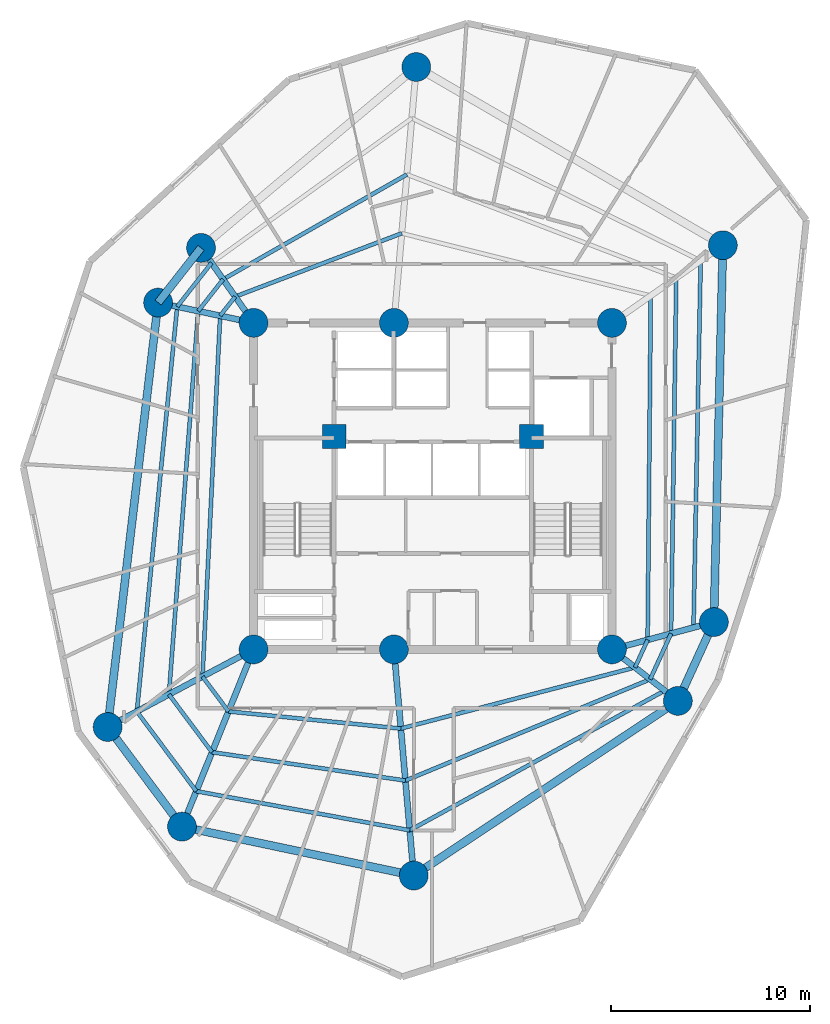
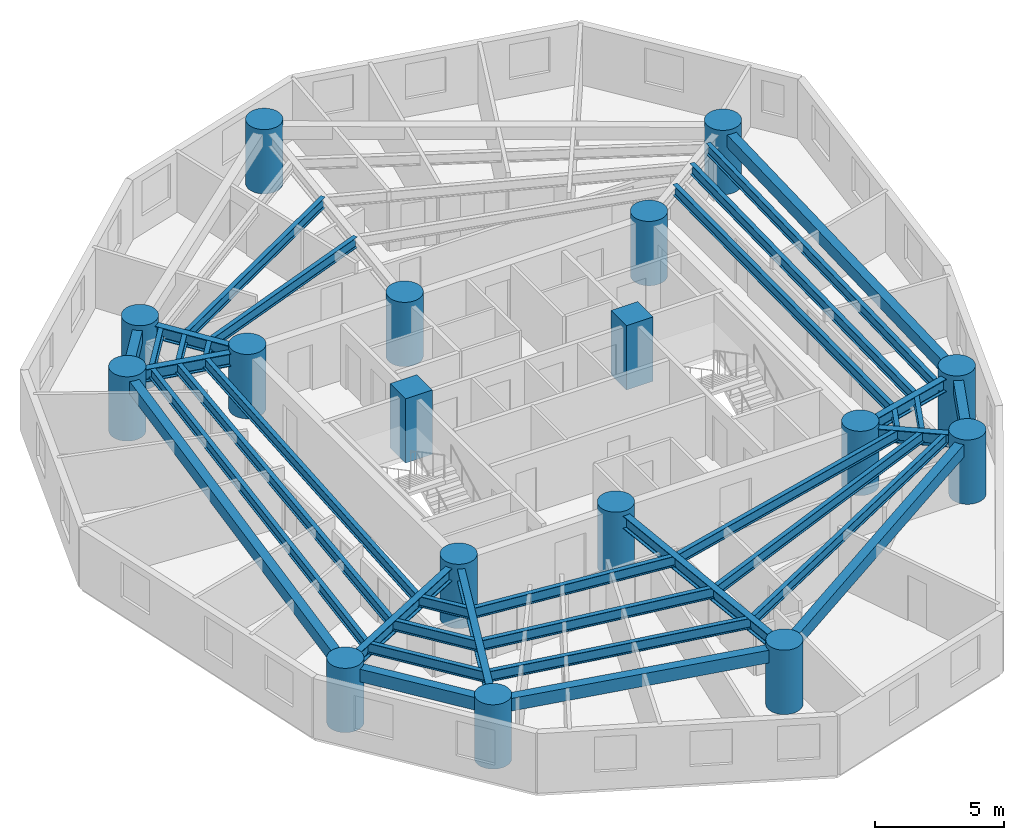
# One storey, part 1 of 8: 36 beams, 17 columns.
"""IFC4 building model written with IfcOpenShell, lengths in metres."""

from ifc_helpers import new_model, si_unit, direction, frame, origin, origin_with_axes, origin_2d, place, context, subcontext, project, spatial, rectangle, circle, i_section, extrude, source, transform, mapped, material, material_profile, profile_set, type_object, element, save


model = new_model("IFC4")

# Units and contexts
model_context = context("Model", 3, precision=1e-05, world=origin(), true_north=direction((0.0, 1.0)))
body_context = subcontext(model_context, "Body", "Model", "MODEL_VIEW")
ifc_project = project(units=[si_unit("LENGTHUNIT", "METRE"), si_unit("AREAUNIT", "SQUARE_METRE"), si_unit("VOLUMEUNIT", "CUBIC_METRE"), si_unit("PLANEANGLEUNIT", "RADIAN"), si_unit("MASSUNIT", "GRAM", prefix="KILO")], contexts=[model_context])

# Site, building, storey
site_placement = place(None, origin())
site = spatial("IfcSite", under=ifc_project, at=site_placement, CompositionType="ELEMENT")
building_placement = place(site_placement, origin())
building = spatial("IfcBuilding", under=site, at=building_placement, Name="Karkom Vertical University and Central Library", CompositionType="ELEMENT")
storey_placement = place(building_placement, frame((0.0, 0.0, 141.949951171875)))
storey = spatial("IfcBuildingStorey", under=building, at=storey_placement, Name="L40", CompositionType="ELEMENT", Elevation=141.949951171875)

# Columns
ifc_material_1 = material(Name="Concrete C50/60", Category="concrete")
ifc_material_profile_1 = material_profile(ifc_material_1, circle(Radius=0.72509765625, at=origin_2d()), Name="CFT-D1450")
ifc_profile_set_1 = profile_set([ifc_material_profile_1], Name="Concrete C50/60")
column_type_1 = type_object("IfcColumnType", Name="STR-COL-C-SC3", PredefinedType="COLUMN", material=ifc_profile_set_1)
shared_shape_1 = source(origin_with_axes(), body_context, "Body", "SweptSolid", [
    extrude(circle(Radius=0.72509765625, at=origin_2d()), origin(), (0.0, 0.0, 1.0), 3.050048828125),
])
for number, where, z_axis, x_axis, name in (
    (1, (19.5, 18.300048828125, 0.0), (0.0, 0.0, 1.0), (1.0, 0.0, 0.0), "Level 40 Spine Mega-Column SC-1"),
    (2, (26.550048828125, 18.300048828125, 0.0), (0.0, 0.0, 1.0), (1.0, 0.0, 0.0), "Level 40 Spine Mega-Column SC-2"),
    (3, (37.5, 18.300048828125, 0.0), (0.0, 0.0, 1.0), (1.0, 0.0, 0.0), "Level 40 Spine Mega-Column SC-3"),
    (4, (19.5, 34.699951171875, 0.0), (0.0, 0.0, 1.0), (1.0, 0.0, 0.0), "Level 40 Spine Mega-Column SC-4"),
    (5, (26.550048828125, 34.699951171875, 0.0), (0.0, 0.0, 1.0), (1.0, 0.0, 0.0), "Level 40 Spine Mega-Column SC-5"),
    (6, (37.5, 34.699951171875, 0.0), (0.0, 0.0, 1.0), (1.0, 0.0, 0.0), "Level 40 Spine Mega-Column SC-6"),
    (7, (42.618896484375, 19.672119140625, 0.0), (0.0, 0.0, 1.0), (1.0, 0.0, 0.0), "Level 40 Perimeter Mega-Column Z2-PC1"),
    (8, (43.070068359375, 38.60009765625, 0.0), (0.0, 0.0, 1.0), (1.0, 0.0, 0.0), "Level 40 Perimeter Mega-Column Z2-PC2"),
    (9, (27.674072265625, 47.551025390625, 0.0), (0.0, 0.0, 1.0), (1.0, 0.0, 0.0), "Level 40 Perimeter Mega-Column Z2-PC3"),
    (10, (16.862060546875, 38.468017578125, 0.0), (0.0, 0.0, 1.0), (1.0, 0.0, 0.0), "Level 40 Perimeter Mega-Column Z2-PC4"),
    (11, (14.70703125, 35.718994140625, 0.0), (0.0, 0.0, 1.0), (1.0, 0.0, 0.0), "Level 40 Perimeter Mega-Column Z2-PC5"),
    (12, (12.172119140625, 14.403076171875, 0.0), (0.0, 0.0, 1.0), (1.0, 0.0, 0.0), "Level 40 Perimeter Mega-Column Z2-PC6"),
    (13, (15.904052734375, 9.39892578125, 0.0), (0.0, 0.0, 1.0), (1.0, 0.0, 0.0), "Level 40 Perimeter Mega-Column Z2-PC7"),
    (14, (27.5439453125, 6.943115234375, 0.0), (0.0, 0.0, 1.0), (1.0, 0.0, 0.0), "Level 40 Perimeter Mega-Column Z2-PC8"),
    (15, (40.81005859375, 15.714111328125, 0.0), (0.0, 0.0, 1.0), (1.0, 0.0, 0.0), "Level 40 Perimeter Mega-Column Z2-PC9"),
):
    element("IfcColumn", number, at=place(storey_placement, frame(where, z_axis=z_axis, x_axis=x_axis)), inside=storey, type_object=column_type_1, Name=name, PredefinedType="COLUMN", context=body_context, shape_type="MappedRepresentation", body=[
        mapped(shared_shape_1, transform((0.0, 0.0, 0.0), scale=1.0)),
    ])
ifc_material_profile_2 = material_profile(ifc_material_1, rectangle(XDim=1.199951171875, YDim=1.199951171875, at=origin_2d()), Name="RC-1200x1200")
ifc_profile_set_2 = profile_set([ifc_material_profile_2], Name="Concrete C50/60")
column_type_2 = type_object("IfcColumnType", Name="STR-COL-C-CC1", PredefinedType="COLUMN", material=ifc_profile_set_2)
shared_shape_2 = source(origin_with_axes(), body_context, "Body", "SweptSolid", [
    extrude(rectangle(XDim=1.199951171875, YDim=1.199951171875, at=origin_2d()), origin(), (0.0, 0.0, 1.0), 3.050048828125),
])
for number, where, z_axis, x_axis, name in (
    (16, (23.550048828125, 29.0, 0.0), (0.0, 0.0, 1.0), (1.0, 0.0, 0.0), "Level 40 Core Node Column CC-1"),
    (17, (33.449951171875, 29.0, 0.0), (0.0, 0.0, 1.0), (1.0, 0.0, 0.0), "Level 40 Core Node Column CC-2"),
):
    element("IfcColumn", number, at=place(storey_placement, frame(where, z_axis=z_axis, x_axis=x_axis)), inside=storey, type_object=column_type_2, Name=name, PredefinedType="COLUMN", context=body_context, shape_type="MappedRepresentation", body=[
        mapped(shared_shape_2, transform((0.0, 0.0, 0.0), scale=1.0)),
    ])

# Beams
ifc_material_2 = material(Name="Precast concrete C45/55", Category="concrete")
ifc_material_profile_3 = material_profile(ifc_material_2, rectangle(XDim=0.39990234375, YDim=0.60009765625, at=origin_2d()), Name="SPB-400x600")
ifc_profile_set_3 = profile_set([ifc_material_profile_3], Name="Precast concrete C45/55")
beam_type_1 = type_object("IfcBeamType", Name="STR-BM-SP-1", PredefinedType="SPANDREL", material=ifc_profile_set_3)
shared_shape_3 = source(origin_with_axes(), body_context, "Body", "SweptSolid", [
    extrude(rectangle(XDim=0.39990234375, YDim=0.60009765625, at=origin_2d()), origin(), (0.0, 0.0, 1.0), 18.933349609375),
])
beam_1_placement = place(storey_placement, frame((42.618896484375, 19.672119140625, 2.525146484375), z_axis=(0.02382947333, 0.999716037783, 0.0), x_axis=(-0.999716037783, 0.02382947333, 0.0)))
element("IfcBeam", 18, at=beam_1_placement, inside=storey, type_object=beam_type_1, Name="Level 40 Perimeter Spandrel Beam 01", PredefinedType="SPANDREL", context=body_context, shape_type="MappedRepresentation", body=[
    mapped(shared_shape_3, transform((0.0, 0.0, 0.0), scale=1.0)),
])
shared_shape_4 = source(origin_with_axes(), body_context, "Body", "SweptSolid", [
    extrude(rectangle(XDim=0.39990234375, YDim=0.60009765625, at=origin_2d()), origin(), (0.0, 0.0, 1.0), 3.492919921875),
])
beam_2_placement = place(storey_placement, frame((16.862060546875, 38.468017578125, 2.525146484375), z_axis=(-0.616950700538, -0.787001799938, 0.0), x_axis=(0.787001799938, -0.616950700538, 0.0)))
element("IfcBeam", 19, at=beam_2_placement, inside=storey, type_object=beam_type_1, Name="Level 40 Perimeter Spandrel Beam 04", PredefinedType="SPANDREL", context=body_context, shape_type="MappedRepresentation", body=[
    mapped(shared_shape_4, transform((0.0, 0.0, 0.0), scale=1.0)),
])
shared_shape_5 = source(origin_with_axes(), body_context, "Body", "SweptSolid", [
    extrude(rectangle(XDim=0.39990234375, YDim=0.60009765625, at=origin_2d()), origin(), (0.0, 0.0, 1.0), 21.466064453125),
])
beam_3_placement = place(storey_placement, frame((14.70703125, 35.718994140625, 2.525146484375), z_axis=(-0.118088996795, -0.993003015522, 0.0), x_axis=(0.993003015522, -0.118088996795, 0.0)))
element("IfcBeam", 20, at=beam_3_placement, inside=storey, type_object=beam_type_1, Name="Level 40 Perimeter Spandrel Beam 05", PredefinedType="SPANDREL", context=body_context, shape_type="MappedRepresentation", body=[
    mapped(shared_shape_5, transform((0.0, 0.0, 0.0), scale=1.0)),
])
shared_shape_6 = source(origin_with_axes(), body_context, "Body", "SweptSolid", [
    extrude(rectangle(XDim=0.39990234375, YDim=0.60009765625, at=origin_2d()), origin(), (0.0, 0.0, 1.0), 6.242431640625),
])
beam_4_placement = place(storey_placement, frame((12.172119140625, 14.403076171875, 2.525146484375), z_axis=(0.59782643552, -0.801625569074, 0.0), x_axis=(0.801625569074, 0.59782643552, 0.0)))
element("IfcBeam", 21, at=beam_4_placement, inside=storey, type_object=beam_type_1, Name="Level 40 Perimeter Spandrel Beam 06", PredefinedType="SPANDREL", context=body_context, shape_type="MappedRepresentation", body=[
    mapped(shared_shape_6, transform((0.0, 0.0, 0.0), scale=1.0)),
])
shared_shape_7 = source(origin_with_axes(), body_context, "Body", "SweptSolid", [
    extrude(rectangle(XDim=0.39990234375, YDim=0.60009765625, at=origin_2d()), origin(), (0.0, 0.0, 1.0), 11.896240234375),
])
beam_5_placement = place(storey_placement, frame((15.904052734375, 9.39892578125, 2.525146484375), z_axis=(0.978459762135, -0.206437627101, 0.0), x_axis=(0.206437627101, 0.978459762135, 0.0)))
element("IfcBeam", 22, at=beam_5_placement, inside=storey, type_object=beam_type_1, Name="Level 40 Perimeter Spandrel Beam 07", PredefinedType="SPANDREL", context=body_context, shape_type="MappedRepresentation", body=[
    mapped(shared_shape_7, transform((0.0, 0.0, 0.0), scale=1.0)),
])
shared_shape_8 = source(origin_with_axes(), body_context, "Body", "SweptSolid", [
    extrude(rectangle(XDim=0.39990234375, YDim=0.60009765625, at=origin_2d()), origin(), (0.0, 0.0, 1.0), 15.903564453125),
])
beam_6_placement = place(storey_placement, frame((27.5439453125, 6.943115234375, 2.525146484375), z_axis=(0.834165069331, 0.551514856652, 0.0), x_axis=(-0.551514856652, 0.834165069331, 0.0)))
element("IfcBeam", 23, at=beam_6_placement, inside=storey, type_object=beam_type_1, Name="Level 40 Perimeter Spandrel Beam 08", PredefinedType="SPANDREL", context=body_context, shape_type="MappedRepresentation", body=[
    mapped(shared_shape_8, transform((0.0, 0.0, 0.0), scale=1.0)),
])
shared_shape_9 = source(origin_with_axes(), body_context, "Body", "SweptSolid", [
    extrude(rectangle(XDim=0.39990234375, YDim=0.60009765625, at=origin_2d()), origin(), (0.0, 0.0, 1.0), 4.351806640625),
])
beam_7_placement = place(storey_placement, frame((40.81005859375, 15.714111328125, 2.525146484375), z_axis=(0.415657668422, 0.909521139217, 0.0), x_axis=(-0.909521139217, 0.415657668422, 0.0)))
element("IfcBeam", 24, at=beam_7_placement, inside=storey, type_object=beam_type_1, Name="Level 40 Perimeter Spandrel Beam 09", PredefinedType="SPANDREL", context=body_context, shape_type="MappedRepresentation", body=[
    mapped(shared_shape_9, transform((0.0, 0.0, 0.0), scale=1.0)),
])
ifc_material_3 = material(Name="Steel S355", Category="steel")
ifc_material_profile_4 = material_profile(ifc_material_3, i_section(OverallWidth=0.199951171875, OverallDepth=0.5, WebThickness=0.01025390625, FlangeThickness=0.01611328125, FilletRadius=0.02099609375, at=origin_2d()), Name="IPE 500")
ifc_profile_set_4 = profile_set([ifc_material_profile_4], Name="Steel S355")
beam_type_2 = type_object("IfcBeamType", Name="STR-BM-SB-IPE500", PredefinedType="BEAM", material=ifc_profile_set_4)
shared_shape_10 = source(origin_with_axes(), body_context, "Body", "SweptSolid", [
    extrude(i_section(OverallWidth=0.199951171875, OverallDepth=0.5, WebThickness=0.01025390625, FlangeThickness=0.01611328125, FilletRadius=0.02099609375, at=origin_2d()), origin(), (0.0, 0.0, 1.0), 17.285400390625),
])
beam_8_placement = place(storey_placement, frame((39.29150390625, 18.7802734375, 2.574951171875), z_axis=(0.009138294648, 0.999958244914, 0.0), x_axis=(-0.999958244914, 0.009138294648, 0.0)))
element("IfcBeam", 25, at=beam_8_placement, inside=storey, type_object=beam_type_2, Name="Level 40 Secondary Composite Floor Beam 1.01", PredefinedType="BEAM", context=body_context, shape_type="MappedRepresentation", body=[
    mapped(shared_shape_10, transform((0.0, 0.0, 0.0), scale=1.0)),
])
shared_shape_11 = source(origin_with_axes(), body_context, "Body", "SweptSolid", [
    extrude(i_section(OverallWidth=0.199951171875, OverallDepth=0.5, WebThickness=0.01025390625, FlangeThickness=0.01611328125, FilletRadius=0.02099609375, at=origin_2d()), origin(), (0.0, 0.0, 1.0), 8.950439453125),
])
beam_9_placement = place(storey_placement, frame((26.943359375, 39.197998046875, 2.574951171875), z_axis=(-0.93478901494, -0.355203459368, 0.0), x_axis=(0.355203459368, -0.93478901494, 0.0)))
element("IfcBeam", 26, at=beam_9_placement, inside=storey, type_object=beam_type_2, Name="Level 40 Secondary Composite Floor Beam 1.03", PredefinedType="BEAM", context=body_context, shape_type="MappedRepresentation", body=[
    mapped(shared_shape_11, transform((0.0, 0.0, 0.0), scale=1.0)),
])
shared_shape_12 = source(origin_with_axes(), body_context, "Body", "SweptSolid", [
    extrude(i_section(OverallWidth=0.199951171875, OverallDepth=0.5, WebThickness=0.01025390625, FlangeThickness=0.01611328125, FilletRadius=0.02099609375, at=origin_2d()), origin(), (0.0, 0.0, 1.0), 1.222412109375),
])
beam_10_placement = place(storey_placement, frame((18.57666015625, 36.018798828125, 2.574951171875), z_axis=(-0.616895037184, -0.787045432677, 0.0), x_axis=(0.787045432677, -0.616895037184, 0.0)))
element("IfcBeam", 27, at=beam_10_placement, inside=storey, type_object=beam_type_2, Name="Level 40 Secondary Composite Floor Beam 1.04", PredefinedType="BEAM", context=body_context, shape_type="MappedRepresentation", body=[
    mapped(shared_shape_12, transform((0.0, 0.0, 0.0), scale=1.0)),
])
shared_shape_13 = source(origin_with_axes(), body_context, "Body", "SweptSolid", [
    extrude(i_section(OverallWidth=0.199951171875, OverallDepth=0.5, WebThickness=0.01025390625, FlangeThickness=0.01611328125, FilletRadius=0.02099609375, at=origin_2d()), origin(), (0.0, 0.0, 1.0), 18.142333984375),
])
beam_11_placement = place(storey_placement, frame((17.822509765625, 35.056640625, 2.574951171875), z_axis=(-0.048902644774, -0.998803549921, 0.0), x_axis=(0.998803549921, -0.048902644774, 0.0)))
element("IfcBeam", 28, at=beam_11_placement, inside=storey, type_object=beam_type_2, Name="Level 40 Secondary Composite Floor Beam 1.05", PredefinedType="BEAM", context=body_context, shape_type="MappedRepresentation", body=[
    mapped(shared_shape_13, transform((0.0, 0.0, 0.0), scale=1.0)),
])
shared_shape_14 = source(origin_with_axes(), body_context, "Body", "SweptSolid", [
    extrude(i_section(OverallWidth=0.199951171875, OverallDepth=0.5, WebThickness=0.01025390625, FlangeThickness=0.01611328125, FilletRadius=0.02099609375, at=origin_2d()), origin(), (0.0, 0.0, 1.0), 2.1845703125),
])
beam_12_placement = place(storey_placement, frame((16.935302734375, 16.93603515625, 2.574951171875), z_axis=(0.597870130664, -0.801592980795, 0.0), x_axis=(0.801592980795, 0.597870130664, 0.0)))
element("IfcBeam", 29, at=beam_12_placement, inside=storey, type_object=beam_type_2, Name="Level 40 Secondary Composite Floor Beam 1.06", PredefinedType="BEAM", context=body_context, shape_type="MappedRepresentation", body=[
    mapped(shared_shape_14, transform((0.0, 0.0, 0.0), scale=1.0)),
])
shared_shape_15 = source(origin_with_axes(), body_context, "Body", "SweptSolid", [
    extrude(i_section(OverallWidth=0.199951171875, OverallDepth=0.5, WebThickness=0.01025390625, FlangeThickness=0.01611328125, FilletRadius=0.02099609375, at=origin_2d()), origin(), (0.0, 0.0, 1.0), 8.698974609375),
])
beam_13_placement = place(storey_placement, frame((18.241455078125, 15.184814453125, 2.574951171875), z_axis=(0.995105588045, -0.098817349903, 0.0), x_axis=(0.098817349903, 0.995105588045, 0.0)))
element("IfcBeam", 30, at=beam_13_placement, inside=storey, type_object=beam_type_2, Name="Level 40 Secondary Composite Floor Beam 1.07", PredefinedType="BEAM", context=body_context, shape_type="MappedRepresentation", body=[
    mapped(shared_shape_15, transform((0.0, 0.0, 0.0), scale=1.0)),
])
shared_shape_16 = source(origin_with_axes(), body_context, "Body", "SweptSolid", [
    extrude(i_section(OverallWidth=0.199951171875, OverallDepth=0.5, WebThickness=0.01025390625, FlangeThickness=0.01611328125, FilletRadius=0.02099609375, at=origin_2d()), origin(), (0.0, 0.0, 1.0), 12.154541015625),
])
beam_14_placement = place(storey_placement, frame((26.89794921875, 14.3251953125, 2.574951171875), z_axis=(0.967579719768, 0.252565805077, 0.0), x_axis=(-0.252565805077, 0.967579719768, 0.0)))
element("IfcBeam", 31, at=beam_14_placement, inside=storey, type_object=beam_type_2, Name="Level 40 Secondary Composite Floor Beam 1.08", PredefinedType="BEAM", context=body_context, shape_type="MappedRepresentation", body=[
    mapped(shared_shape_16, transform((0.0, 0.0, 0.0), scale=1.0)),
])
shared_shape_17 = source(origin_with_axes(), body_context, "Body", "SweptSolid", [
    extrude(i_section(OverallWidth=0.199951171875, OverallDepth=0.5, WebThickness=0.01025390625, FlangeThickness=0.01611328125, FilletRadius=0.02099609375, at=origin_2d()), origin(), (0.0, 0.0, 1.0), 1.52294921875),
])
beam_15_placement = place(storey_placement, frame((38.658447265625, 17.39501953125, 2.574951171875), z_axis=(0.415649898107, 0.909524690266, 0.0), x_axis=(-0.909524690266, 0.415649898107, 0.0)))
element("IfcBeam", 32, at=beam_15_placement, inside=storey, type_object=beam_type_2, Name="Level 40 Secondary Composite Floor Beam 1.09", PredefinedType="BEAM", context=body_context, shape_type="MappedRepresentation", body=[
    mapped(shared_shape_17, transform((0.0, 0.0, 0.0), scale=1.0)),
])
shared_shape_18 = source(origin_with_axes(), body_context, "Body", "SweptSolid", [
    extrude(i_section(OverallWidth=0.199951171875, OverallDepth=0.5, WebThickness=0.01025390625, FlangeThickness=0.01611328125, FilletRadius=0.02099609375, at=origin_2d()), origin(), (0.0, 0.0, 1.0), 17.8681640625),
])
beam_16_placement = place(storey_placement, frame((40.468994140625, 19.095703125, 2.574951171875), z_axis=(0.014647239676, 0.999892723431, 0.0), x_axis=(-0.999892723431, 0.014647239676, 0.0)))
element("IfcBeam", 33, at=beam_16_placement, inside=storey, type_object=beam_type_2, Name="Level 40 Secondary Composite Floor Beam 2.01", PredefinedType="BEAM", context=body_context, shape_type="MappedRepresentation", body=[
    mapped(shared_shape_18, transform((0.0, 0.0, 0.0), scale=1.0)),
])
shared_shape_19 = source(origin_with_axes(), body_context, "Body", "SweptSolid", [
    extrude(i_section(OverallWidth=0.199951171875, OverallDepth=0.5, WebThickness=0.01025390625, FlangeThickness=0.01611328125, FilletRadius=0.02099609375, at=origin_2d()), origin(), (0.0, 0.0, 1.0), 10.629150390625),
])
beam_17_placement = place(storey_placement, frame((27.201904296875, 42.153564453125, 2.574951171875), z_axis=(-0.868539813491, -0.495619402748, 0.0), x_axis=(0.495619402748, -0.868539813491, 0.0)))
element("IfcBeam", 34, at=beam_17_placement, inside=storey, type_object=beam_type_2, Name="Level 40 Secondary Composite Floor Beam 2.03", PredefinedType="BEAM", context=body_context, shape_type="MappedRepresentation", body=[
    mapped(shared_shape_19, transform((0.0, 0.0, 0.0), scale=1.0)),
])
shared_shape_20 = source(origin_with_axes(), body_context, "Body", "SweptSolid", [
    extrude(i_section(OverallWidth=0.199951171875, OverallDepth=0.5, WebThickness=0.01025390625, FlangeThickness=0.01611328125, FilletRadius=0.02099609375, at=origin_2d()), origin(), (0.0, 0.0, 1.0), 2.02587890625),
])
beam_18_placement = place(storey_placement, frame((17.969970703125, 36.885498046875, 2.574951171875), z_axis=(-0.616889733535, -0.787049589708, 0.0), x_axis=(0.787049589708, -0.616889733535, 0.0)))
element("IfcBeam", 35, at=beam_18_placement, inside=storey, type_object=beam_type_2, Name="Level 40 Secondary Composite Floor Beam 2.04", PredefinedType="BEAM", context=body_context, shape_type="MappedRepresentation", body=[
    mapped(shared_shape_20, transform((0.0, 0.0, 0.0), scale=1.0)),
])
shared_shape_21 = source(origin_with_axes(), body_context, "Body", "SweptSolid", [
    extrude(i_section(OverallWidth=0.199951171875, OverallDepth=0.5, WebThickness=0.01025390625, FlangeThickness=0.01611328125, FilletRadius=0.02099609375, at=origin_2d()), origin(), (0.0, 0.0, 1.0), 19.307373046875),
])
beam_19_placement = place(storey_placement, frame((16.72021484375, 35.291015625, 2.574951171875), z_axis=(-0.07616078645, -0.997095549387, 0.0), x_axis=(0.997095549387, -0.07616078645, 0.0)))
element("IfcBeam", 36, at=beam_19_placement, inside=storey, type_object=beam_type_2, Name="Level 40 Secondary Composite Floor Beam 2.05", PredefinedType="BEAM", context=body_context, shape_type="MappedRepresentation", body=[
    mapped(shared_shape_21, transform((0.0, 0.0, 0.0), scale=1.0)),
])
shared_shape_22 = source(origin_with_axes(), body_context, "Body", "SweptSolid", [
    extrude(i_section(OverallWidth=0.199951171875, OverallDepth=0.5, WebThickness=0.01025390625, FlangeThickness=0.01611328125, FilletRadius=0.02099609375, at=origin_2d()), origin(), (0.0, 0.0, 1.0), 3.62060546875),
])
beam_20_placement = place(storey_placement, frame((15.249755859375, 16.039794921875, 2.574951171875), z_axis=(0.59784003707, -0.801615425298, 0.0), x_axis=(0.801615425298, 0.59784003707, 0.0)))
element("IfcBeam", 37, at=beam_20_placement, inside=storey, type_object=beam_type_2, Name="Level 40 Secondary Composite Floor Beam 2.06", PredefinedType="BEAM", context=body_context, shape_type="MappedRepresentation", body=[
    mapped(shared_shape_22, transform((0.0, 0.0, 0.0), scale=1.0)),
])
shared_shape_23 = source(origin_with_axes(), body_context, "Body", "SweptSolid", [
    extrude(i_section(OverallWidth=0.199951171875, OverallDepth=0.5, WebThickness=0.01025390625, FlangeThickness=0.01611328125, FilletRadius=0.02099609375, at=origin_2d()), origin(), (0.0, 0.0, 1.0), 9.816162109375),
])
beam_21_placement = place(storey_placement, frame((17.414306640625, 13.137451171875, 2.574951171875), z_axis=(0.989413295367, -0.145125225069, 0.0), x_axis=(0.145125225069, 0.989413295367, 0.0)))
element("IfcBeam", 38, at=beam_21_placement, inside=storey, type_object=beam_type_2, Name="Level 40 Secondary Composite Floor Beam 2.07", PredefinedType="BEAM", context=body_context, shape_type="MappedRepresentation", body=[
    mapped(shared_shape_23, transform((0.0, 0.0, 0.0), scale=1.0)),
])
shared_shape_24 = source(origin_with_axes(), body_context, "Body", "SweptSolid", [
    extrude(i_section(OverallWidth=0.199951171875, OverallDepth=0.5, WebThickness=0.01025390625, FlangeThickness=0.01611328125, FilletRadius=0.02099609375, at=origin_2d()), origin(), (0.0, 0.0, 1.0), 13.304443359375),
])
beam_22_placement = place(storey_placement, frame((27.12646484375, 11.712890625, 2.574951171875), z_axis=(0.924011243398, 0.382365299255, 0.0), x_axis=(-0.382365299255, 0.924011243398, 0.0)))
element("IfcBeam", 39, at=beam_22_placement, inside=storey, type_object=beam_type_2, Name="Level 40 Secondary Composite Floor Beam 2.08", PredefinedType="BEAM", context=body_context, shape_type="MappedRepresentation", body=[
    mapped(shared_shape_24, transform((0.0, 0.0, 0.0), scale=1.0)),
])
shared_shape_25 = source(origin_with_axes(), body_context, "Body", "SweptSolid", [
    extrude(i_section(OverallWidth=0.199951171875, OverallDepth=0.5, WebThickness=0.01025390625, FlangeThickness=0.01611328125, FilletRadius=0.02099609375, at=origin_2d()), origin(), (0.0, 0.0, 1.0), 2.52392578125),
])
beam_23_placement = place(storey_placement, frame((39.419921875, 16.800048828125, 2.574951171875), z_axis=(0.415638602127, 0.909529852408, 0.0), x_axis=(-0.909529852408, 0.415638602127, 0.0)))
element("IfcBeam", 40, at=beam_23_placement, inside=storey, type_object=beam_type_2, Name="Level 40 Secondary Composite Floor Beam 2.09", PredefinedType="BEAM", context=body_context, shape_type="MappedRepresentation", body=[
    mapped(shared_shape_25, transform((0.0, 0.0, 0.0), scale=1.0)),
])
shared_shape_26 = source(origin_with_axes(), body_context, "Body", "SweptSolid", [
    extrude(i_section(OverallWidth=0.199951171875, OverallDepth=0.5, WebThickness=0.01025390625, FlangeThickness=0.01611328125, FilletRadius=0.02099609375, at=origin_2d()), origin(), (0.0, 0.0, 1.0), 18.42578125),
])
beam_24_placement = place(storey_placement, frame((41.59521484375, 19.397705078125, 2.574951171875), z_axis=(0.019583298818, 0.999808228816, 0.0), x_axis=(-0.999808228816, 0.019583298818, 0.0)))
element("IfcBeam", 41, at=beam_24_placement, inside=storey, type_object=beam_type_2, Name="Level 40 Secondary Composite Floor Beam 3.01", PredefinedType="BEAM", context=body_context, shape_type="MappedRepresentation", body=[
    mapped(shared_shape_26, transform((0.0, 0.0, 0.0), scale=1.0)),
])
shared_shape_27 = source(origin_with_axes(), body_context, "Body", "SweptSolid", [
    extrude(i_section(OverallWidth=0.199951171875, OverallDepth=0.5, WebThickness=0.01025390625, FlangeThickness=0.01611328125, FilletRadius=0.02099609375, at=origin_2d()), origin(), (0.0, 0.0, 1.0), 2.79443359375),
])
beam_25_placement = place(storey_placement, frame((17.3896484375, 37.71435546875, 2.574951171875), z_axis=(-0.616972344898, -0.786984831894, 0.0), x_axis=(0.786984831894, -0.616972344898, 0.0)))
element("IfcBeam", 42, at=beam_25_placement, inside=storey, type_object=beam_type_2, Name="Level 40 Secondary Composite Floor Beam 3.04", PredefinedType="BEAM", context=body_context, shape_type="MappedRepresentation", body=[
    mapped(shared_shape_27, transform((0.0, 0.0, 0.0), scale=1.0)),
])
shared_shape_28 = source(origin_with_axes(), body_context, "Body", "SweptSolid", [
    extrude(i_section(OverallWidth=0.199951171875, OverallDepth=0.5, WebThickness=0.01025390625, FlangeThickness=0.01611328125, FilletRadius=0.02099609375, at=origin_2d()), origin(), (0.0, 0.0, 1.0), 20.43359375),
])
beam_26_placement = place(storey_placement, frame((15.66552734375, 35.51513671875, 2.574951171875), z_axis=(-0.099239913611, -0.995063535432, 0.0), x_axis=(0.995063535432, -0.099239913611, 0.0)))
element("IfcBeam", 43, at=beam_26_placement, inside=storey, type_object=beam_type_2, Name="Level 40 Secondary Composite Floor Beam 3.05", PredefinedType="BEAM", context=body_context, shape_type="MappedRepresentation", body=[
    mapped(shared_shape_28, transform((0.0, 0.0, 0.0), scale=1.0)),
])
shared_shape_29 = source(origin_with_axes(), body_context, "Body", "SweptSolid", [
    extrude(i_section(OverallWidth=0.199951171875, OverallDepth=0.5, WebThickness=0.01025390625, FlangeThickness=0.01611328125, FilletRadius=0.02099609375, at=origin_2d()), origin(), (0.0, 0.0, 1.0), 4.993896484375),
])
beam_27_placement = place(storey_placement, frame((13.6376953125, 15.182373046875, 2.574951171875), z_axis=(0.597846775537, -0.801610399745, 0.0), x_axis=(0.801610399745, 0.597846775537, 0.0)))
element("IfcBeam", 44, at=beam_27_placement, inside=storey, type_object=beam_type_2, Name="Level 40 Secondary Composite Floor Beam 3.06", PredefinedType="BEAM", context=body_context, shape_type="MappedRepresentation", body=[
    mapped(shared_shape_29, transform((0.0, 0.0, 0.0), scale=1.0)),
])
shared_shape_30 = source(origin_with_axes(), body_context, "Body", "SweptSolid", [
    extrude(i_section(OverallWidth=0.199951171875, OverallDepth=0.5, WebThickness=0.01025390625, FlangeThickness=0.01611328125, FilletRadius=0.02099609375, at=origin_2d()), origin(), (0.0, 0.0, 1.0), 10.900390625),
])
beam_28_placement = place(storey_placement, frame((16.623291015625, 11.17919921875, 2.574951171875), z_axis=(0.98362026014, -0.180253110495, 0.0), x_axis=(0.180253110495, 0.98362026014, 0.0)))
element("IfcBeam", 45, at=beam_28_placement, inside=storey, type_object=beam_type_2, Name="Level 40 Secondary Composite Floor Beam 3.07", PredefinedType="BEAM", context=body_context, shape_type="MappedRepresentation", body=[
    mapped(shared_shape_30, transform((0.0, 0.0, 0.0), scale=1.0)),
])
shared_shape_31 = source(origin_with_axes(), body_context, "Body", "SweptSolid", [
    extrude(i_section(OverallWidth=0.199951171875, OverallDepth=0.5, WebThickness=0.01025390625, FlangeThickness=0.01611328125, FilletRadius=0.02099609375, at=origin_2d()), origin(), (0.0, 0.0, 1.0), 14.599609375),
])
beam_29_placement = place(storey_placement, frame((27.34521484375, 9.21435546875, 2.574951171875), z_axis=(0.876928143127, 0.480621505752, 0.0), x_axis=(-0.480621505752, 0.876928143127, 0.0)))
element("IfcBeam", 46, at=beam_29_placement, inside=storey, type_object=beam_type_2, Name="Level 40 Secondary Composite Floor Beam 3.08", PredefinedType="BEAM", context=body_context, shape_type="MappedRepresentation", body=[
    mapped(shared_shape_31, transform((0.0, 0.0, 0.0), scale=1.0)),
])
ifc_material_profile_5 = material_profile(ifc_material_3, i_section(OverallWidth=0.300048828125, OverallDepth=0.60009765625, WebThickness=0.015380859375, FlangeThickness=0.030029296875, FilletRadius=0.027099609375, at=origin_2d()), Name="HE 600 B")
ifc_profile_set_5 = profile_set([ifc_material_profile_5], Name="Steel S355")
beam_type_3 = type_object("IfcBeamType", Name="STR-BM-SB-HE600", PredefinedType="USERDEFINED", material=ifc_profile_set_5)
shared_shape_32 = source(origin_with_axes(), body_context, "Body", "SweptSolid", [
    extrude(i_section(OverallWidth=0.300048828125, OverallDepth=0.60009765625, WebThickness=0.015380859375, FlangeThickness=0.030029296875, FilletRadius=0.027099609375, at=origin_2d()), origin(), (0.0, 0.0, 1.0), 5.299560546875),
])
beam_30_placement = place(storey_placement, frame((37.5, 18.300048828125, 2.525146484375), z_axis=(0.965903833688, 0.258901108663, 0.0), x_axis=(-0.258901108663, 0.965903833688, 0.0)))
element("IfcBeam", 47, at=beam_30_placement, inside=storey, type_object=beam_type_3, Name="Level 40 Radial Frame Girder 01", ObjectType="GIRDER", PredefinedType="USERDEFINED", context=body_context, shape_type="MappedRepresentation", body=[
    mapped(shared_shape_32, transform((0.0, 0.0, 0.0), scale=1.0)),
])
shared_shape_33 = source(origin_with_axes(), body_context, "Body", "SweptSolid", [
    extrude(i_section(OverallWidth=0.300048828125, OverallDepth=0.60009765625, WebThickness=0.015380859375, FlangeThickness=0.030029296875, FilletRadius=0.027099609375, at=origin_2d()), origin(), (0.0, 0.0, 1.0), 4.599609375),
])
beam_31_placement = place(storey_placement, frame((19.5, 34.699951171875, 2.525146484375), z_axis=(-0.573505090764, 0.819201996377, 0.0), x_axis=(-0.819201996377, -0.573505090764, 0.0)))
element("IfcBeam", 48, at=beam_31_placement, inside=storey, type_object=beam_type_3, Name="Level 40 Radial Frame Girder 04", ObjectType="GIRDER", PredefinedType="USERDEFINED", context=body_context, shape_type="MappedRepresentation", body=[
    mapped(shared_shape_33, transform((0.0, 0.0, 0.0), scale=1.0)),
])
shared_shape_34 = source(origin_with_axes(), body_context, "Body", "SweptSolid", [
    extrude(i_section(OverallWidth=0.300048828125, OverallDepth=0.60009765625, WebThickness=0.015380859375, FlangeThickness=0.030029296875, FilletRadius=0.027099609375, at=origin_2d()), origin(), (0.0, 0.0, 1.0), 4.900146484375),
])
beam_32_placement = place(storey_placement, frame((19.5, 34.699951171875, 2.525146484375), z_axis=(-0.978136559131, 0.207963630695, 0.0), x_axis=(-0.207963630695, -0.978136559131, 0.0)))
element("IfcBeam", 49, at=beam_32_placement, inside=storey, type_object=beam_type_3, Name="Level 40 Radial Frame Girder 05", ObjectType="GIRDER", PredefinedType="USERDEFINED", context=body_context, shape_type="MappedRepresentation", body=[
    mapped(shared_shape_34, transform((0.0, 0.0, 0.0), scale=1.0)),
])
shared_shape_35 = source(origin_with_axes(), body_context, "Body", "SweptSolid", [
    extrude(i_section(OverallWidth=0.300048828125, OverallDepth=0.60009765625, WebThickness=0.015380859375, FlangeThickness=0.030029296875, FilletRadius=0.027099609375, at=origin_2d()), origin(), (0.0, 0.0, 1.0), 8.299560546875),
])
beam_33_placement = place(storey_placement, frame((19.5, 18.300048828125, 2.525146484375), z_axis=(-0.882914163564, -0.469534428746, 0.0), x_axis=(0.469534428746, -0.882914163564, 0.0)))
element("IfcBeam", 50, at=beam_33_placement, inside=storey, type_object=beam_type_3, Name="Level 40 Radial Frame Girder 06", ObjectType="GIRDER", PredefinedType="USERDEFINED", context=body_context, shape_type="MappedRepresentation", body=[
    mapped(shared_shape_35, transform((0.0, 0.0, 0.0), scale=1.0)),
])
shared_shape_36 = source(origin_with_axes(), body_context, "Body", "SweptSolid", [
    extrude(i_section(OverallWidth=0.300048828125, OverallDepth=0.60009765625, WebThickness=0.015380859375, FlangeThickness=0.030029296875, FilletRadius=0.027099609375, at=origin_2d()), origin(), (0.0, 0.0, 1.0), 9.60009765625),
])
beam_34_placement = place(storey_placement, frame((19.5, 18.300048828125, 2.525146484375), z_axis=(-0.374576157034, -0.927196151082, 0.0), x_axis=(0.927196151082, -0.374576157034, 0.0)))
element("IfcBeam", 51, at=beam_34_placement, inside=storey, type_object=beam_type_3, Name="Level 40 Radial Frame Girder 07", ObjectType="GIRDER", PredefinedType="USERDEFINED", context=body_context, shape_type="MappedRepresentation", body=[
    mapped(shared_shape_36, transform((0.0, 0.0, 0.0), scale=1.0)),
])
shared_shape_37 = source(origin_with_axes(), body_context, "Body", "SweptSolid", [
    extrude(i_section(OverallWidth=0.300048828125, OverallDepth=0.60009765625, WebThickness=0.015380859375, FlangeThickness=0.030029296875, FilletRadius=0.027099609375, at=origin_2d()), origin(), (0.0, 0.0, 1.0), 11.400390625),
])
beam_35_placement = place(storey_placement, frame((26.550048828125, 18.300048828125, 2.525146484375), z_axis=(0.087181295702, -0.996192462168, 0.0), x_axis=(0.996192462168, 0.087181295702, 0.0)))
element("IfcBeam", 52, at=beam_35_placement, inside=storey, type_object=beam_type_3, Name="Level 40 Radial Frame Girder 08", ObjectType="GIRDER", PredefinedType="USERDEFINED", context=body_context, shape_type="MappedRepresentation", body=[
    mapped(shared_shape_37, transform((0.0, 0.0, 0.0), scale=1.0)),
])
shared_shape_38 = source(origin_with_axes(), body_context, "Body", "SweptSolid", [
    extrude(i_section(OverallWidth=0.300048828125, OverallDepth=0.60009765625, WebThickness=0.015380859375, FlangeThickness=0.030029296875, FilletRadius=0.027099609375, at=origin_2d()), origin(), (0.0, 0.0, 1.0), 4.200439453125),
])
beam_36_placement = place(storey_placement, frame((37.5, 18.300048828125, 2.525146484375), z_axis=(0.788029660796, -0.615637274461, 0.0), x_axis=(0.615637274461, 0.788029660796, 0.0)))
element("IfcBeam", 53, at=beam_36_placement, inside=storey, type_object=beam_type_3, Name="Level 40 Radial Frame Girder 09", ObjectType="GIRDER", PredefinedType="USERDEFINED", context=body_context, shape_type="MappedRepresentation", body=[
    mapped(shared_shape_38, transform((0.0, 0.0, 0.0), scale=1.0)),
])

save(model, "model.ifc")
